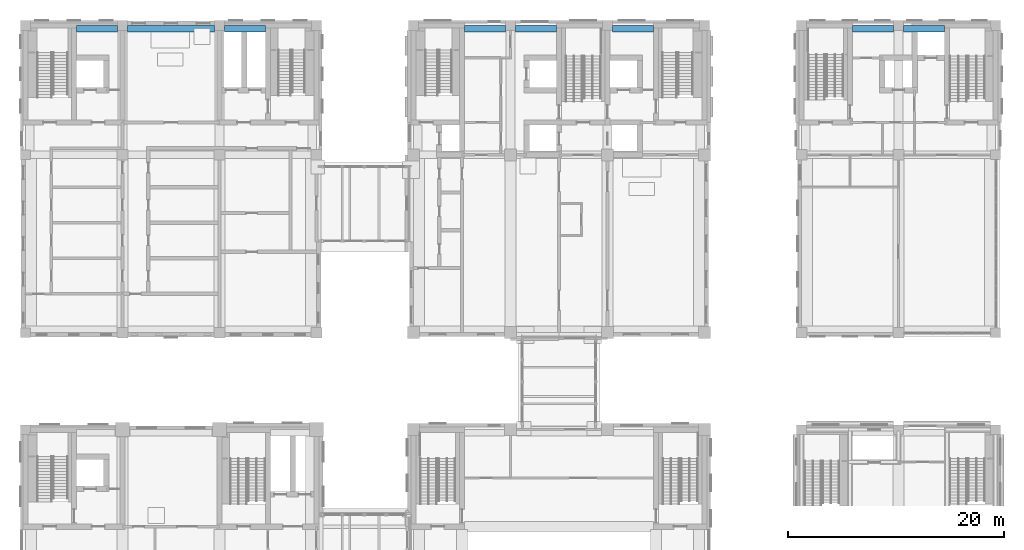
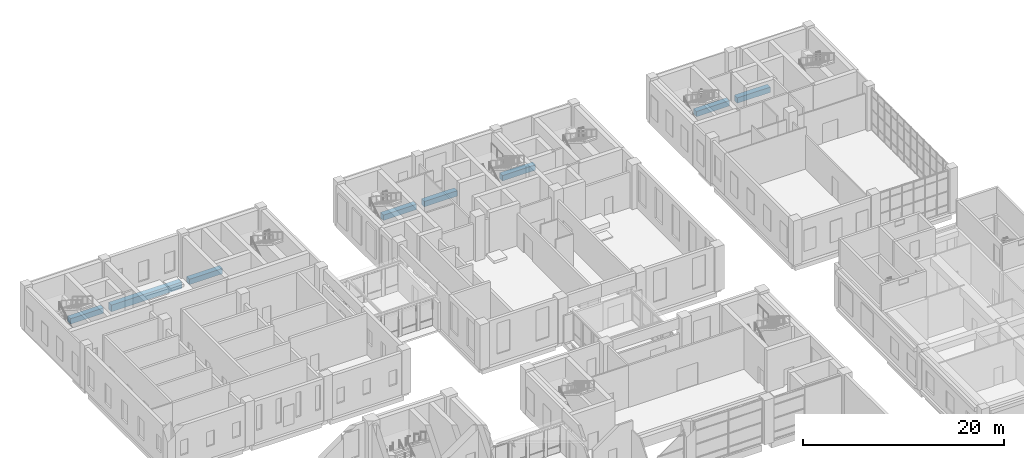
# One storey, part 20 of 52: 8 beams.
"""IFC4 building model written with IfcOpenShell, lengths in metres."""

from ifc_helpers import new_model, si_unit, direction, frame, origin, origin_2d, place, context, subcontext, project, spatial, rectangle, extrude, material, material_profile, profile_set, type_object, element, save


model = new_model("IFC4")

# Units and contexts
model_context = context("Model", 3, precision=1e-05, world=origin(), true_north=direction((0.0, 1.0)))
body_context = subcontext(model_context, "Body", "Model", "MODEL_VIEW")
ifc_project = project(units=[si_unit("LENGTHUNIT", "METRE"), si_unit("AREAUNIT", "SQUARE_METRE"), si_unit("VOLUMEUNIT", "CUBIC_METRE"), si_unit("PLANEANGLEUNIT", "RADIAN"), si_unit("MASSUNIT", "GRAM", prefix="KILO")], contexts=[model_context])

# Site, building, storey
site_placement = place(None, origin())
site = spatial("IfcSite", under=ifc_project, at=site_placement, CompositionType="ELEMENT")
building_placement = place(site_placement, origin())
building = spatial("IfcBuilding", under=site, at=building_placement, Name="Aurelan Courthouse", CompositionType="ELEMENT")
storey_placement = place(building_placement, frame((0.0, 0.0, 6.60009765625)))
storey = spatial("IfcBuildingStorey", under=building, at=storey_placement, Name="L01", CompositionType="ELEMENT", Elevation=6.60009765625)

# Beams
ifc_material = material(Name="Concrete C50", Category="concrete")
ifc_material_profile_1 = material_profile(ifc_material, rectangle(XDim=0.60009765625, YDim=0.64990234375, at=origin_2d()), Name="RC 600 x 650")
ifc_profile_set_1 = profile_set([ifc_material_profile_1], Name="Concrete C50")
beam_type_1 = type_object("IfcBeamType", Name="RC spandrel beam 600 x 650", PredefinedType="SPANDREL", material=ifc_profile_set_1)
for number, where, z_axis, x_axis, name in (
    (1, (40.75, 65.699951171875, -0.625), (1.0, 0.0, 0.0), (0.0, 1.0, 0.0), "Spandrel beam SB-F-5-6"),
    (2, (45.449951171875, 65.699951171875, -0.625), (1.0, 0.0, 0.0), (0.0, 1.0, 0.0), "Spandrel beam SB-F-6-7"),
    (3, (54.449951171875, 65.699951171875, -0.625), (1.0, 0.0, 0.0), (0.0, 1.0, 0.0), "Spandrel beam SB-F-7-8"),
    (4, (76.75, 65.699951171875, -0.625), (1.0, 0.0, 0.0), (0.0, 1.0, 0.0), "Spandrel beam SB-F-9-10"),
    (5, (81.449951171875, 65.699951171875, -0.625), (1.0, 0.0, 0.0), (0.0, 1.0, 0.0), "Spandrel beam SB-F-10-11"),
    (6, (4.75, 65.699951171875, -0.625), (1.0, 0.0, 0.0), (0.0, 1.0, 0.0), "Spandrel beam SB-F-1-2"),
    (7, (18.449951171875, 65.699951171875, -0.625), (1.0, 0.0, 0.0), (0.0, 1.0, 0.0), "Spandrel beam SB-F-3-4"),
):
    element("IfcBeam", number, at=place(storey_placement, frame(where, z_axis=z_axis, x_axis=x_axis)), inside=storey, type_object=beam_type_1, Name=name, PredefinedType="SPANDREL", context=body_context, shape_type="SweptSolid", body=[
        extrude(rectangle(XDim=0.60009765625, YDim=0.64990234375, at=origin_2d()), origin(), (0.0, 0.0, 1.0), 3.800048828125),
    ])
ifc_material_profile_2 = material_profile(ifc_material, rectangle(XDim=0.60009765625, YDim=0.800048828125, at=origin_2d()), Name="RC 600 x 800")
ifc_profile_set_2 = profile_set([ifc_material_profile_2], Name="Concrete C50")
beam_type_2 = type_object("IfcBeamType", Name="RC spandrel beam 600 x 800", PredefinedType="SPANDREL", material=ifc_profile_set_2)
beam_placement = place(storey_placement, frame((9.449951171875, 65.699951171875, -0.7001953125), z_axis=(1.0, 0.0, 0.0), x_axis=(0.0, 1.0, 0.0)))
element("IfcBeam", 8, at=beam_placement, inside=storey, type_object=beam_type_2, Name="Spandrel beam SB-F-2-3", PredefinedType="SPANDREL", context=body_context, shape_type="SweptSolid", body=[
    extrude(rectangle(XDim=0.60009765625, YDim=0.800048828125, at=origin_2d()), origin(), (0.0, 0.0, 1.0), 8.10009765625),
])

save(model, "model.ifc")
